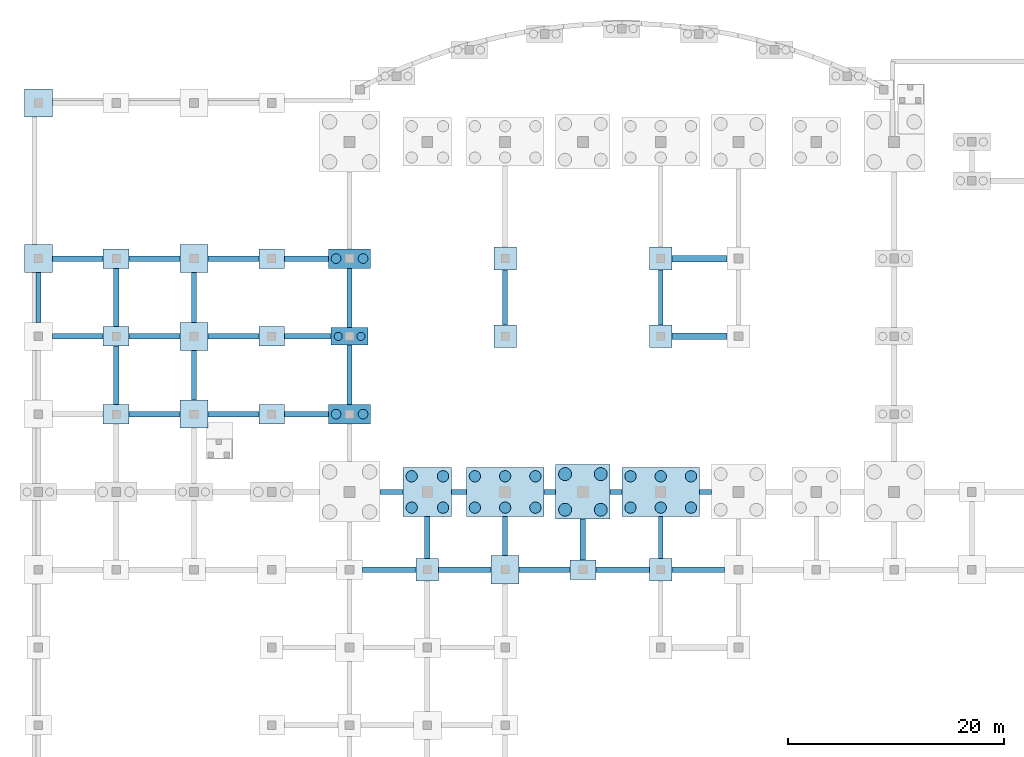
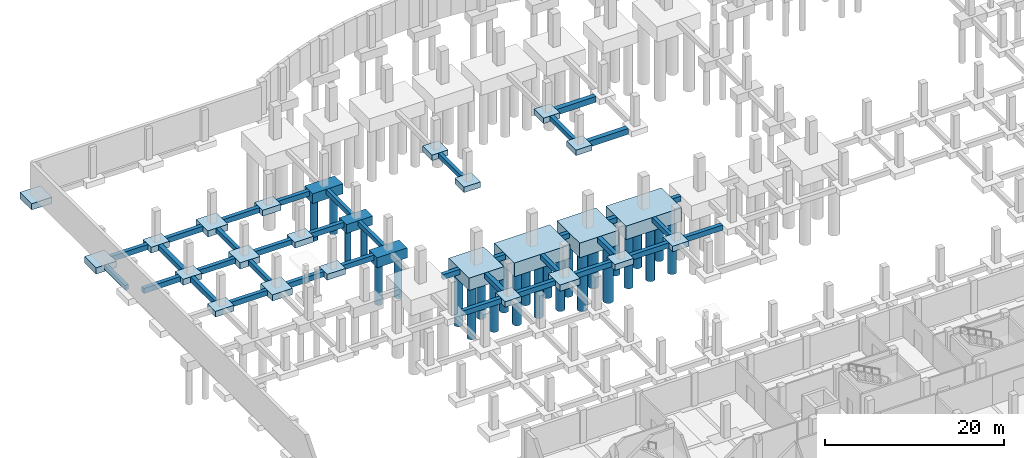
# One storey, part 8 of 22: 62 footings, 26 piles.
"""IFC4 building model written with IfcOpenShell, lengths in metres."""

from ifc_helpers import new_model, si_unit, direction, frame, origin, origin_2d, place, context, subcontext, project, spatial, polyline, rectangle, circle, outline, extrude, material, material_profile, profile_set, type_object, element, save


model = new_model("IFC4")

# Units and contexts
model_context = context("Model", 3, precision=1e-05, world=origin(), true_north=direction((0.0, 1.0)))
body_context = subcontext(model_context, "Body", "Model", "MODEL_VIEW")
ifc_project = project(units=[si_unit("LENGTHUNIT", "METRE"), si_unit("AREAUNIT", "SQUARE_METRE"), si_unit("VOLUMEUNIT", "CUBIC_METRE"), si_unit("PLANEANGLEUNIT", "RADIAN"), si_unit("MASSUNIT", "GRAM", prefix="KILO")], contexts=[model_context])

# Site, building, storey
site_placement = place(None, origin())
site = spatial("IfcSite", under=ifc_project, at=site_placement, CompositionType="ELEMENT")
building_placement = place(site_placement, origin())
building = spatial("IfcBuilding", under=site, at=building_placement, Name="Sardonyx Promenade Sports Hall", CompositionType="ELEMENT")
storey_placement = place(building_placement, frame((0.0, 0.0, -4.5)))
storey = spatial("IfcBuildingStorey", under=building, at=storey_placement, Name="B1", CompositionType="ELEMENT", Elevation=-4.5)

# Footings
ifc_material_1 = material(Name="Concrete C40/50", Category="concrete")
footing_type_1 = type_object("IfcFootingType", Name="Cap_2P_750", PredefinedType="PILE_CAP", material=ifc_material_1)
footing_1_placement = place(storey_placement, frame((28.800048828125, 86.39990234375, -1.2001953125), z_axis=(0.0, 0.0, 1.0), x_axis=(1.0, 0.0, 0.0)))
element("IfcFooting", 1, at=footing_1_placement, inside=storey, type_object=footing_type_1, Name="Pile cap PC02 at (28.80, 86.40)", PredefinedType="PILE_CAP", context=body_context, shape_type="SweptSolid", body=[
    extrude(rectangle(XDim=3.39990234375, YDim=1.60009765625, at=origin_2d()), origin(), (0.0, 0.0, 1.0), 1.199951171875),
])
ifc_material_2 = material(Name="Concrete C40/50", Category="concrete")
footing_type_2 = type_object("IfcFootingType", Name="Cap_2P_900", PredefinedType="PILE_CAP", material=ifc_material_2)
for number, where, z_axis, x_axis, name in (
    (2, (28.800048828125, 79.199951171875, -1.35009765625), (0.0, 0.0, 1.0), (1.0, 0.0, 0.0), "Pile cap PC09 at (28.80, 79.20)"),
    (3, (28.800048828125, 93.60009765625, -1.35009765625), (0.0, 0.0, 1.0), (1.0, 0.0, 0.0), "Pile cap PC09 at (28.80, 93.60)"),
):
    element("IfcFooting", number, at=place(storey_placement, frame(where, z_axis=z_axis, x_axis=x_axis)), inside=storey, type_object=footing_type_2, Name=name, PredefinedType="PILE_CAP", context=body_context, shape_type="SweptSolid", body=[
        extrude(rectangle(XDim=3.89990234375, YDim=1.800048828125, at=origin_2d()), origin(), (0.0, 0.0, 1.0), 1.35009765625),
    ])
ifc_material_3 = material(Name="Concrete C40/50", Category="concrete")
footing_type_3 = type_object("IfcFootingType", Name="Cap_4P_1050", PredefinedType="PILE_CAP", material=ifc_material_3)
footing_2_placement = place(storey_placement, frame((36.0, 72.0, -1.7001953125), z_axis=(0.0, 0.0, 1.0), x_axis=(1.0, 0.0, 0.0)))
element("IfcFooting", 4, at=footing_2_placement, inside=storey, type_object=footing_type_3, Name="Pile cap PC06 at (36.00, 72.00)", PredefinedType="PILE_CAP", context=body_context, shape_type="SweptSolid", body=[
    extrude(rectangle(XDim=4.5, YDim=4.5, at=origin_2d()), origin(), (0.0, 0.0, 1.0), 1.699951171875),
])
ifc_material_4 = material(Name="Concrete C40/50", Category="concrete")
footing_type_4 = type_object("IfcFootingType", Name="Cap_4P_1200", PredefinedType="PILE_CAP", material=ifc_material_4)
footing_3_placement = place(storey_placement, frame((50.39990234375, 72.0, -2.0), z_axis=(0.0, 0.0, 1.0), x_axis=(1.0, 0.0, 0.0)))
element("IfcFooting", 5, at=footing_3_placement, inside=storey, type_object=footing_type_4, Name="Pile cap PC05 at (50.40, 72.00)", PredefinedType="PILE_CAP", context=body_context, shape_type="SweptSolid", body=[
    extrude(rectangle(XDim=5.0400390625, YDim=5.0400390625, at=origin_2d()), origin(), (0.0, 0.0, 1.0), 2.0),
])
ifc_material_5 = material(Name="Concrete C40/50", Category="concrete")
footing_type_5 = type_object("IfcFootingType", Name="Cap_6P_1050", PredefinedType="PILE_CAP", material=ifc_material_5)
for number, where, z_axis, x_axis, name in (
    (6, (43.199951171875, 72.0, -1.85009765625), (0.0, 0.0, 1.0), (1.0, 0.0, 0.0), "Pile cap PC07 at (43.20, 72.00)"),
    (7, (57.60009765625, 72.0, -1.85009765625), (0.0, 0.0, 1.0), (1.0, 0.0, 0.0), "Pile cap PC07 at (57.60, 72.00)"),
):
    element("IfcFooting", number, at=place(storey_placement, frame(where, z_axis=z_axis, x_axis=x_axis)), inside=storey, type_object=footing_type_5, Name=name, PredefinedType="PILE_CAP", context=body_context, shape_type="SweptSolid", body=[
        extrude(rectangle(XDim=7.159912109375, YDim=4.5, at=origin_2d()), origin(), (0.0, 0.0, 1.0), 1.85009765625),
    ])
ifc_material_6 = material(Name="Concrete C40/50", Category="concrete")
footing_type_6 = type_object("IfcFootingType", Name="Ftg_Beam_450x650", PredefinedType="FOOTING_BEAM", material=ifc_material_6)
footing_4_placement = place(storey_placement, frame((0.0, 0.0, -0.64990234375)))
element("IfcFooting", 8, at=footing_4_placement, inside=storey, type_object=footing_type_6, Name="Ground tie beam GB03 #232", PredefinedType="FOOTING_BEAM", context=body_context, shape_type="SweptSolid", body=[
    extrude(outline(polyline([(-0.22509765625, 87.699951171875), (0.22509765625, 87.699951171875), (0.22509765625, 92.300048828125), (-0.22509765625, 92.300048828125), (-0.22509765625, 87.699951171875)])), origin(), (0.0, 0.0, 1.0), 0.64990234375),
])
footing_5_placement = place(storey_placement, frame((0.0, 0.0, -0.64990234375)))
element("IfcFooting", 9, at=footing_5_placement, inside=storey, type_object=footing_type_6, Name="Ground tie beam GB03 #249", PredefinedType="FOOTING_BEAM", context=body_context, shape_type="SweptSolid", body=[
    extrude(outline(polyline([(14.175048828125, 80.5), (14.625, 80.5), (14.625, 85.10009765625), (14.175048828125, 85.10009765625), (14.175048828125, 80.5)])), origin(), (0.0, 0.0, 1.0), 0.64990234375),
])
footing_6_placement = place(storey_placement, frame((0.0, 0.0, -0.64990234375)))
element("IfcFooting", 10, at=footing_6_placement, inside=storey, type_object=footing_type_6, Name="Ground tie beam GB03 #250", PredefinedType="FOOTING_BEAM", context=body_context, shape_type="SweptSolid", body=[
    extrude(outline(polyline([(14.175048828125, 87.699951171875), (14.625, 87.699951171875), (14.625, 92.300048828125), (14.175048828125, 92.300048828125), (14.175048828125, 87.699951171875)])), origin(), (0.0, 0.0, 1.0), 0.64990234375),
])
footing_7_placement = place(storey_placement, frame((0.0, 0.0, -0.64990234375)))
element("IfcFooting", 11, at=footing_7_placement, inside=storey, type_object=footing_type_6, Name="Ground tie beam GB03 #262", PredefinedType="FOOTING_BEAM", context=body_context, shape_type="SweptSolid", body=[
    extrude(outline(polyline([(28.574951171875, 80.10009765625), (29.02490234375, 80.10009765625), (29.02490234375, 85.60009765625), (28.574951171875, 85.60009765625), (28.574951171875, 80.10009765625)])), origin(), (0.0, 0.0, 1.0), 0.64990234375),
])
footing_8_placement = place(storey_placement, frame((0.0, 0.0, -0.64990234375)))
element("IfcFooting", 12, at=footing_8_placement, inside=storey, type_object=footing_type_6, Name="Ground tie beam GB03 #263", PredefinedType="FOOTING_BEAM", context=body_context, shape_type="SweptSolid", body=[
    extrude(outline(polyline([(28.574951171875, 87.199951171875), (29.02490234375, 87.199951171875), (29.02490234375, 92.699951171875), (28.574951171875, 92.699951171875), (28.574951171875, 87.199951171875)])), origin(), (0.0, 0.0, 1.0), 0.64990234375),
])
footing_9_placement = place(storey_placement, frame((0.0, 0.0, -0.64990234375)))
element("IfcFooting", 13, at=footing_9_placement, inside=storey, type_object=footing_type_6, Name="Ground tie beam GB03 #284", PredefinedType="FOOTING_BEAM", context=body_context, shape_type="SweptSolid", body=[
    extrude(outline(polyline([(42.97509765625, 66.10009765625), (43.425048828125, 66.10009765625), (43.425048828125, 69.75), (42.97509765625, 69.75), (42.97509765625, 66.10009765625)])), origin(), (0.0, 0.0, 1.0), 0.64990234375),
])
footing_10_placement = place(storey_placement, frame((0.0, 0.0, -0.64990234375)))
element("IfcFooting", 14, at=footing_10_placement, inside=storey, type_object=footing_type_6, Name="Ground tie beam GB03 #285", PredefinedType="FOOTING_BEAM", context=body_context, shape_type="SweptSolid", body=[
    extrude(outline(polyline([(42.97509765625, 87.449951171875), (43.425048828125, 87.449951171875), (43.425048828125, 92.550048828125), (42.97509765625, 92.550048828125), (42.97509765625, 87.449951171875)])), origin(), (0.0, 0.0, 1.0), 0.64990234375),
])
footing_11_placement = place(storey_placement, frame((0.0, 0.0, -0.64990234375)))
element("IfcFooting", 15, at=footing_11_placement, inside=storey, type_object=footing_type_6, Name="Ground tie beam GB03 #301", PredefinedType="FOOTING_BEAM", context=body_context, shape_type="SweptSolid", body=[
    extrude(outline(polyline([(57.375, 65.85009765625), (57.824951171875, 65.85009765625), (57.824951171875, 69.75), (57.375, 69.75), (57.375, 65.85009765625)])), origin(), (0.0, 0.0, 1.0), 0.64990234375),
])
footing_12_placement = place(storey_placement, frame((0.0, 0.0, -0.64990234375)))
element("IfcFooting", 16, at=footing_12_placement, inside=storey, type_object=footing_type_6, Name="Ground tie beam GB03 #302", PredefinedType="FOOTING_BEAM", context=body_context, shape_type="SweptSolid", body=[
    extrude(outline(polyline([(57.375, 87.449951171875), (57.824951171875, 87.449951171875), (57.824951171875, 92.550048828125), (57.375, 92.550048828125), (57.375, 87.449951171875)])), origin(), (0.0, 0.0, 1.0), 0.64990234375),
])
ifc_material_7 = material(Name="Concrete C40/50", Category="concrete")
footing_type_7 = type_object("IfcFootingType", Name="Ftg_Beam_500x700", PredefinedType="FOOTING_BEAM", material=ifc_material_7)
footing_13_placement = place(storey_placement, frame((0.0, 0.0, -0.699951171875)))
element("IfcFooting", 17, at=footing_13_placement, inside=storey, type_object=footing_type_7, Name="Ground tie beam GB01 #138", PredefinedType="FOOTING_BEAM", context=body_context, shape_type="SweptSolid", body=[
    extrude(outline(polyline([(30.0, 64.550048828125), (34.949951171875, 64.550048828125), (34.949951171875, 65.050048828125), (30.0, 65.050048828125), (30.0, 64.550048828125)])), origin(), (0.0, 0.0, 1.0), 0.699951171875),
])
footing_14_placement = place(storey_placement, frame((0.0, 0.0, -0.699951171875)))
element("IfcFooting", 18, at=footing_14_placement, inside=storey, type_object=footing_type_7, Name="Ground tie beam GB01 #139", PredefinedType="FOOTING_BEAM", context=body_context, shape_type="SweptSolid", body=[
    extrude(outline(polyline([(37.050048828125, 64.550048828125), (41.89990234375, 64.550048828125), (41.89990234375, 65.050048828125), (37.050048828125, 65.050048828125), (37.050048828125, 64.550048828125)])), origin(), (0.0, 0.0, 1.0), 0.699951171875),
])
footing_15_placement = place(storey_placement, frame((0.0, 0.0, -0.699951171875)))
element("IfcFooting", 19, at=footing_15_placement, inside=storey, type_object=footing_type_7, Name="Ground tie beam GB01 #140", PredefinedType="FOOTING_BEAM", context=body_context, shape_type="SweptSolid", body=[
    extrude(outline(polyline([(44.5, 64.550048828125), (49.199951171875, 64.550048828125), (49.199951171875, 65.050048828125), (44.5, 65.050048828125), (44.5, 64.550048828125)])), origin(), (0.0, 0.0, 1.0), 0.699951171875),
])
footing_16_placement = place(storey_placement, frame((0.0, 0.0, -0.699951171875)))
element("IfcFooting", 20, at=footing_16_placement, inside=storey, type_object=footing_type_7, Name="Ground tie beam GB01 #141", PredefinedType="FOOTING_BEAM", context=body_context, shape_type="SweptSolid", body=[
    extrude(outline(polyline([(51.60009765625, 64.550048828125), (56.550048828125, 64.550048828125), (56.550048828125, 65.050048828125), (51.60009765625, 65.050048828125), (51.60009765625, 64.550048828125)])), origin(), (0.0, 0.0, 1.0), 0.699951171875),
])
footing_17_placement = place(storey_placement, frame((0.0, 0.0, -0.699951171875)))
element("IfcFooting", 21, at=footing_17_placement, inside=storey, type_object=footing_type_7, Name="Ground tie beam GB01 #142", PredefinedType="FOOTING_BEAM", context=body_context, shape_type="SweptSolid", body=[
    extrude(outline(polyline([(58.64990234375, 64.550048828125), (63.5, 64.550048828125), (63.5, 65.050048828125), (58.64990234375, 65.050048828125), (58.64990234375, 64.550048828125)])), origin(), (0.0, 0.0, 1.0), 0.699951171875),
])
footing_18_placement = place(storey_placement, frame((0.0, 0.0, -0.699951171875)))
element("IfcFooting", 22, at=footing_18_placement, inside=storey, type_object=footing_type_7, Name="Ground tie beam GB01 #155", PredefinedType="FOOTING_BEAM", context=body_context, shape_type="SweptSolid", body=[
    extrude(outline(polyline([(31.60009765625, 71.75), (33.75, 71.75), (33.75, 72.25), (31.60009765625, 72.25), (31.60009765625, 71.75)])), origin(), (0.0, 0.0, 1.0), 0.699951171875),
])
footing_19_placement = place(storey_placement, frame((0.0, 0.0, -0.699951171875)))
element("IfcFooting", 23, at=footing_19_placement, inside=storey, type_object=footing_type_7, Name="Ground tie beam GB01 #156", PredefinedType="FOOTING_BEAM", context=body_context, shape_type="SweptSolid", body=[
    extrude(outline(polyline([(38.25, 71.75), (39.6201171875, 71.75), (39.6201171875, 72.25), (38.25, 72.25), (38.25, 71.75)])), origin(), (0.0, 0.0, 1.0), 0.699951171875),
])
footing_20_placement = place(storey_placement, frame((0.0, 0.0, -0.699951171875)))
element("IfcFooting", 24, at=footing_20_placement, inside=storey, type_object=footing_type_7, Name="Ground tie beam GB01 #157", PredefinedType="FOOTING_BEAM", context=body_context, shape_type="SweptSolid", body=[
    extrude(outline(polyline([(46.780029296875, 71.75), (47.8798828125, 71.75), (47.8798828125, 72.25), (46.780029296875, 72.25), (46.780029296875, 71.75)])), origin(), (0.0, 0.0, 1.0), 0.699951171875),
])
footing_21_placement = place(storey_placement, frame((0.0, 0.0, -0.699951171875)))
element("IfcFooting", 25, at=footing_21_placement, inside=storey, type_object=footing_type_7, Name="Ground tie beam GB01 #158", PredefinedType="FOOTING_BEAM", context=body_context, shape_type="SweptSolid", body=[
    extrude(outline(polyline([(52.919921875, 71.75), (54.02001953125, 71.75), (54.02001953125, 72.25), (52.919921875, 72.25), (52.919921875, 71.75)])), origin(), (0.0, 0.0, 1.0), 0.699951171875),
])
footing_22_placement = place(storey_placement, frame((0.0, 0.0, -0.699951171875)))
element("IfcFooting", 26, at=footing_22_placement, inside=storey, type_object=footing_type_7, Name="Ground tie beam GB01 #159", PredefinedType="FOOTING_BEAM", context=body_context, shape_type="SweptSolid", body=[
    extrude(outline(polyline([(61.179931640625, 71.75), (62.280029296875, 71.75), (62.280029296875, 72.25), (61.179931640625, 72.25), (61.179931640625, 71.75)])), origin(), (0.0, 0.0, 1.0), 0.699951171875),
])
footing_23_placement = place(storey_placement, frame((0.0, 0.0, -0.699951171875)))
element("IfcFooting", 27, at=footing_23_placement, inside=storey, type_object=footing_type_7, Name="Ground tie beam GB01 #169", PredefinedType="FOOTING_BEAM", context=body_context, shape_type="SweptSolid", body=[
    extrude(outline(polyline([(8.39990234375, 78.949951171875), (13.10009765625, 78.949951171875), (13.10009765625, 79.449951171875), (8.39990234375, 79.449951171875), (8.39990234375, 78.949951171875)])), origin(), (0.0, 0.0, 1.0), 0.699951171875),
])
footing_24_placement = place(storey_placement, frame((0.0, 0.0, -0.699951171875)))
element("IfcFooting", 28, at=footing_24_placement, inside=storey, type_object=footing_type_7, Name="Ground tie beam GB01 #170", PredefinedType="FOOTING_BEAM", context=body_context, shape_type="SweptSolid", body=[
    extrude(outline(polyline([(15.699951171875, 78.949951171875), (20.39990234375, 78.949951171875), (20.39990234375, 79.449951171875), (15.699951171875, 79.449951171875), (15.699951171875, 78.949951171875)])), origin(), (0.0, 0.0, 1.0), 0.699951171875),
])
footing_25_placement = place(storey_placement, frame((0.0, 0.0, -0.699951171875)))
element("IfcFooting", 29, at=footing_25_placement, inside=storey, type_object=footing_type_7, Name="Ground tie beam GB01 #171", PredefinedType="FOOTING_BEAM", context=body_context, shape_type="SweptSolid", body=[
    extrude(outline(polyline([(22.800048828125, 78.949951171875), (26.85009765625, 78.949951171875), (26.85009765625, 79.449951171875), (22.800048828125, 79.449951171875), (22.800048828125, 78.949951171875)])), origin(), (0.0, 0.0, 1.0), 0.699951171875),
])
footing_26_placement = place(storey_placement, frame((0.0, 0.0, -0.699951171875)))
element("IfcFooting", 30, at=footing_26_placement, inside=storey, type_object=footing_type_7, Name="Ground tie beam GB01 #180", PredefinedType="FOOTING_BEAM", context=body_context, shape_type="SweptSolid", body=[
    extrude(outline(polyline([(1.300048828125, 86.14990234375), (6.0, 86.14990234375), (6.0, 86.64990234375), (1.300048828125, 86.64990234375), (1.300048828125, 86.14990234375)])), origin(), (0.0, 0.0, 1.0), 0.699951171875),
])
footing_27_placement = place(storey_placement, frame((0.0, 0.0, -0.699951171875)))
element("IfcFooting", 31, at=footing_27_placement, inside=storey, type_object=footing_type_7, Name="Ground tie beam GB01 #181", PredefinedType="FOOTING_BEAM", context=body_context, shape_type="SweptSolid", body=[
    extrude(outline(polyline([(8.39990234375, 86.14990234375), (13.10009765625, 86.14990234375), (13.10009765625, 86.64990234375), (8.39990234375, 86.64990234375), (8.39990234375, 86.14990234375)])), origin(), (0.0, 0.0, 1.0), 0.699951171875),
])
footing_28_placement = place(storey_placement, frame((0.0, 0.0, -0.699951171875)))
element("IfcFooting", 32, at=footing_28_placement, inside=storey, type_object=footing_type_7, Name="Ground tie beam GB01 #182", PredefinedType="FOOTING_BEAM", context=body_context, shape_type="SweptSolid", body=[
    extrude(outline(polyline([(15.699951171875, 86.14990234375), (20.39990234375, 86.14990234375), (20.39990234375, 86.64990234375), (15.699951171875, 86.64990234375), (15.699951171875, 86.14990234375)])), origin(), (0.0, 0.0, 1.0), 0.699951171875),
])
footing_29_placement = place(storey_placement, frame((0.0, 0.0, -0.699951171875)))
element("IfcFooting", 33, at=footing_29_placement, inside=storey, type_object=footing_type_7, Name="Ground tie beam GB01 #183", PredefinedType="FOOTING_BEAM", context=body_context, shape_type="SweptSolid", body=[
    extrude(outline(polyline([(22.800048828125, 86.14990234375), (27.10009765625, 86.14990234375), (27.10009765625, 86.64990234375), (22.800048828125, 86.64990234375), (22.800048828125, 86.14990234375)])), origin(), (0.0, 0.0, 1.0), 0.699951171875),
])
footing_30_placement = place(storey_placement, frame((0.0, 0.0, -0.699951171875)))
element("IfcFooting", 34, at=footing_30_placement, inside=storey, type_object=footing_type_7, Name="Ground tie beam GB01 #193", PredefinedType="FOOTING_BEAM", context=body_context, shape_type="SweptSolid", body=[
    extrude(outline(polyline([(1.300048828125, 93.35009765625), (6.0, 93.35009765625), (6.0, 93.85009765625), (1.300048828125, 93.85009765625), (1.300048828125, 93.35009765625)])), origin(), (0.0, 0.0, 1.0), 0.699951171875),
])
footing_31_placement = place(storey_placement, frame((0.0, 0.0, -0.699951171875)))
element("IfcFooting", 35, at=footing_31_placement, inside=storey, type_object=footing_type_7, Name="Ground tie beam GB01 #194", PredefinedType="FOOTING_BEAM", context=body_context, shape_type="SweptSolid", body=[
    extrude(outline(polyline([(8.39990234375, 93.35009765625), (13.10009765625, 93.35009765625), (13.10009765625, 93.85009765625), (8.39990234375, 93.85009765625), (8.39990234375, 93.35009765625)])), origin(), (0.0, 0.0, 1.0), 0.699951171875),
])
footing_32_placement = place(storey_placement, frame((0.0, 0.0, -0.699951171875)))
element("IfcFooting", 36, at=footing_32_placement, inside=storey, type_object=footing_type_7, Name="Ground tie beam GB01 #195", PredefinedType="FOOTING_BEAM", context=body_context, shape_type="SweptSolid", body=[
    extrude(outline(polyline([(15.699951171875, 93.35009765625), (20.39990234375, 93.35009765625), (20.39990234375, 93.85009765625), (15.699951171875, 93.85009765625), (15.699951171875, 93.35009765625)])), origin(), (0.0, 0.0, 1.0), 0.699951171875),
])
footing_33_placement = place(storey_placement, frame((0.0, 0.0, -0.699951171875)))
element("IfcFooting", 37, at=footing_33_placement, inside=storey, type_object=footing_type_7, Name="Ground tie beam GB01 #196", PredefinedType="FOOTING_BEAM", context=body_context, shape_type="SweptSolid", body=[
    extrude(outline(polyline([(22.800048828125, 93.35009765625), (26.85009765625, 93.35009765625), (26.85009765625, 93.85009765625), (22.800048828125, 93.85009765625), (22.800048828125, 93.35009765625)])), origin(), (0.0, 0.0, 1.0), 0.699951171875),
])
footing_34_placement = place(storey_placement, frame((0.0, 0.0, -0.699951171875)))
element("IfcFooting", 38, at=footing_34_placement, inside=storey, type_object=footing_type_7, Name="Ground tie beam GB01 #240", PredefinedType="FOOTING_BEAM", context=body_context, shape_type="SweptSolid", body=[
    extrude(outline(polyline([(6.949951171875, 80.10009765625), (7.449951171875, 80.10009765625), (7.449951171875, 85.5), (6.949951171875, 85.5), (6.949951171875, 80.10009765625)])), origin(), (0.0, 0.0, 1.0), 0.699951171875),
])
footing_35_placement = place(storey_placement, frame((0.0, 0.0, -0.699951171875)))
element("IfcFooting", 39, at=footing_35_placement, inside=storey, type_object=footing_type_7, Name="Ground tie beam GB01 #241", PredefinedType="FOOTING_BEAM", context=body_context, shape_type="SweptSolid", body=[
    extrude(outline(polyline([(6.949951171875, 87.300048828125), (7.449951171875, 87.300048828125), (7.449951171875, 92.699951171875), (6.949951171875, 92.699951171875), (6.949951171875, 87.300048828125)])), origin(), (0.0, 0.0, 1.0), 0.699951171875),
])
footing_36_placement = place(storey_placement, frame((0.0, 0.0, -0.699951171875)))
element("IfcFooting", 40, at=footing_36_placement, inside=storey, type_object=footing_type_7, Name="Ground tie beam GB01 #274", PredefinedType="FOOTING_BEAM", context=body_context, shape_type="SweptSolid", body=[
    extrude(outline(polyline([(35.75, 65.85009765625), (36.25, 65.85009765625), (36.25, 69.75), (35.75, 69.75), (35.75, 65.85009765625)])), origin(), (0.0, 0.0, 1.0), 0.699951171875),
])
footing_37_placement = place(storey_placement, frame((0.0, 0.0, -0.699951171875)))
element("IfcFooting", 41, at=footing_37_placement, inside=storey, type_object=footing_type_7, Name="Ground tie beam GB01 #293", PredefinedType="FOOTING_BEAM", context=body_context, shape_type="SweptSolid", body=[
    extrude(outline(polyline([(50.14990234375, 65.699951171875), (50.64990234375, 65.699951171875), (50.64990234375, 69.47998046875), (50.14990234375, 69.47998046875), (50.14990234375, 65.699951171875)])), origin(), (0.0, 0.0, 1.0), 0.699951171875),
])
ifc_material_8 = material(Name="Concrete C40/50", Category="concrete")
footing_type_8 = type_object("IfcFootingType", Name="Ftg_Beam_600x800", PredefinedType="FOOTING_BEAM", material=ifc_material_8)
footing_38_placement = place(storey_placement, frame((0.0, 0.0, -0.800048828125)))
element("IfcFooting", 42, at=footing_38_placement, inside=storey, type_object=footing_type_8, Name="Ground tie beam GB02 #184", PredefinedType="FOOTING_BEAM", context=body_context, shape_type="SweptSolid", body=[
    extrude(outline(polyline([(58.64990234375, 86.10009765625), (63.75, 86.10009765625), (63.75, 86.699951171875), (58.64990234375, 86.699951171875), (58.64990234375, 86.10009765625)])), origin(), (0.0, 0.0, 1.0), 0.800048828125),
])
footing_39_placement = place(storey_placement, frame((0.0, 0.0, -0.800048828125)))
element("IfcFooting", 43, at=footing_39_placement, inside=storey, type_object=footing_type_8, Name="Ground tie beam GB02 #197", PredefinedType="FOOTING_BEAM", context=body_context, shape_type="SweptSolid", body=[
    extrude(outline(polyline([(58.64990234375, 93.300048828125), (63.75, 93.300048828125), (63.75, 93.89990234375), (58.64990234375, 93.89990234375), (58.64990234375, 93.300048828125)])), origin(), (0.0, 0.0, 1.0), 0.800048828125),
])
ifc_material_9 = material(Name="Concrete C40/50", Category="concrete")
footing_type_9 = type_object("IfcFootingType", Name="Ftg_Pad_2100", PredefinedType="PAD_FOOTING", material=ifc_material_9)
for number, where, z_axis, x_axis, name in (
    (44, (36.0, 64.800048828125, -0.75), (0.0, 0.0, 1.0), (1.0, 0.0, 0.0), "Rock-bearing pad footing PF02 at (36.00, 64.80)"),
    (45, (57.60009765625, 64.800048828125, -0.75), (0.0, 0.0, 1.0), (1.0, 0.0, 0.0), "Rock-bearing pad footing PF02 at (57.60, 64.80)"),
    (46, (43.199951171875, 86.39990234375, -0.75), (0.0, 0.0, 1.0), (1.0, 0.0, 0.0), "Substructure court slab pad footing PF02 #34"),
    (47, (43.199951171875, 93.60009765625, -0.75), (0.0, 0.0, 1.0), (1.0, 0.0, 0.0), "Substructure court slab pad footing PF02 #35"),
    (48, (57.60009765625, 86.39990234375, -0.75), (0.0, 0.0, 1.0), (1.0, 0.0, 0.0), "Substructure court slab pad footing PF02 #36"),
    (49, (57.60009765625, 93.60009765625, -0.75), (0.0, 0.0, 1.0), (1.0, 0.0, 0.0), "Substructure court slab pad footing PF02 #37"),
):
    element("IfcFooting", number, at=place(storey_placement, frame(where, z_axis=z_axis, x_axis=x_axis)), inside=storey, type_object=footing_type_9, Name=name, PredefinedType="PAD_FOOTING", context=body_context, shape_type="SweptSolid", body=[
        extrude(rectangle(XDim=2.10009765625, YDim=2.10009765625, at=origin_2d()), origin(), (0.0, 0.0, 1.0), 0.75),
    ])
ifc_material_10 = material(Name="Concrete C40/50", Category="concrete")
footing_type_10 = type_object("IfcFootingType", Name="Ftg_Pad_2400x1800", PredefinedType="PAD_FOOTING", material=ifc_material_10)
for number, where, z_axis, x_axis, name in (
    (50, (50.39990234375, 64.800048828125, -0.7998046875), (0.0, 0.0, 1.0), (1.0, 0.0, 0.0), "Rock-bearing pad footing PF03 at (50.40, 64.80)"),
    (51, (7.199951171875, 79.199951171875, -0.7998046875), (0.0, 0.0, 1.0), (1.0, 0.0, 0.0), "Pad footing PF03 #22"),
    (52, (7.199951171875, 86.39990234375, -0.7998046875), (0.0, 0.0, 1.0), (1.0, 0.0, 0.0), "Pad footing PF03 #23"),
    (53, (7.199951171875, 93.60009765625, -0.7998046875), (0.0, 0.0, 1.0), (1.0, 0.0, 0.0), "Pad footing PF03 #24"),
    (54, (21.60009765625, 79.199951171875, -0.7998046875), (0.0, 0.0, 1.0), (1.0, 0.0, 0.0), "Pad footing PF03 #30"),
    (55, (21.60009765625, 86.39990234375, -0.7998046875), (0.0, 0.0, 1.0), (1.0, 0.0, 0.0), "Pad footing PF03 #31"),
    (56, (21.60009765625, 93.60009765625, -0.7998046875), (0.0, 0.0, 1.0), (1.0, 0.0, 0.0), "Pad footing PF03 #32"),
):
    element("IfcFooting", number, at=place(storey_placement, frame(where, z_axis=z_axis, x_axis=x_axis)), inside=storey, type_object=footing_type_10, Name=name, PredefinedType="PAD_FOOTING", context=body_context, shape_type="SweptSolid", body=[
        extrude(rectangle(XDim=2.39990234375, YDim=1.800048828125, at=origin_2d()), origin(), (0.0, 0.0, 1.0), 0.800048828125),
    ])
ifc_material_11 = material(Name="Concrete C40/50", Category="concrete")
footing_type_11 = type_object("IfcFootingType", Name="Ftg_Pad_2600", PredefinedType="PAD_FOOTING", material=ifc_material_11)
for number, where, z_axis, x_axis, name in (
    (57, (43.199951171875, 64.800048828125, -0.85009765625), (0.0, 0.0, 1.0), (1.0, 0.0, 0.0), "Rock-bearing pad footing PF04 at (43.20, 64.80)"),
    (58, (0.0, 93.60009765625, -0.85009765625), (0.0, 0.0, 1.0), (1.0, 0.0, 0.0), "Pad footing PF04 #20"),
    (59, (0.0, 108.0, -0.85009765625), (0.0, 0.0, 1.0), (1.0, 0.0, 0.0), "Pad footing PF04 #21"),
    (60, (14.39990234375, 79.199951171875, -0.85009765625), (0.0, 0.0, 1.0), (1.0, 0.0, 0.0), "Pad footing PF04 #26"),
    (61, (14.39990234375, 86.39990234375, -0.85009765625), (0.0, 0.0, 1.0), (1.0, 0.0, 0.0), "Pad footing PF04 #27"),
    (62, (14.39990234375, 93.60009765625, -0.85009765625), (0.0, 0.0, 1.0), (1.0, 0.0, 0.0), "Pad footing PF04 #28"),
):
    element("IfcFooting", number, at=place(storey_placement, frame(where, z_axis=z_axis, x_axis=x_axis)), inside=storey, type_object=footing_type_11, Name=name, PredefinedType="PAD_FOOTING", context=body_context, shape_type="SweptSolid", body=[
        extrude(rectangle(XDim=2.60009765625, YDim=2.60009765625, at=origin_2d()), origin(), (0.0, 0.0, 1.0), 0.85009765625),
    ])

# Piles
ifc_material_12 = material(Name="Concrete C40/50", Category="concrete")
ifc_material_profile_1 = material_profile(ifc_material_12, circle(Radius=0.52490234375, at=origin_2d()))
ifc_profile_set_1 = profile_set([ifc_material_profile_1], Name="Concrete C40/50")
pile_type_1 = type_object("IfcPileType", Name="Pile_BP1050", PredefinedType="BORED", material=ifc_profile_set_1)
for number, where, z_axis, x_axis, name in (
    (63, (34.550048828125, 70.550048828125, -1.60009765625), (0.0, 0.0, -1.0), (1.0, 0.0, 0.0), "Bored pile BP03 #1 under ftg:cap:36.000_72.000"),
    (64, (37.449951171875, 70.550048828125, -1.60009765625), (0.0, 0.0, -1.0), (1.0, 0.0, 0.0), "Bored pile BP03 #2 under ftg:cap:36.000_72.000"),
    (65, (34.550048828125, 73.449951171875, -1.60009765625), (0.0, 0.0, -1.0), (1.0, 0.0, 0.0), "Bored pile BP03 #3 under ftg:cap:36.000_72.000"),
    (66, (37.449951171875, 73.449951171875, -1.60009765625), (0.0, 0.0, -1.0), (1.0, 0.0, 0.0), "Bored pile BP03 #4 under ftg:cap:36.000_72.000"),
    (67, (40.39990234375, 70.550048828125, -1.75), (0.0, 0.0, -1.0), (1.0, 0.0, 0.0), "Bored pile BP03 #1 under ftg:cap:43.200_72.000"),
    (68, (43.199951171875, 70.550048828125, -1.75), (0.0, 0.0, -1.0), (1.0, 0.0, 0.0), "Bored pile BP03 #2 under ftg:cap:43.200_72.000"),
    (69, (46.0, 70.550048828125, -1.75), (0.0, 0.0, -1.0), (1.0, 0.0, 0.0), "Bored pile BP03 #3 under ftg:cap:43.200_72.000"),
    (70, (40.39990234375, 73.449951171875, -1.75), (0.0, 0.0, -1.0), (1.0, 0.0, 0.0), "Bored pile BP03 #4 under ftg:cap:43.200_72.000"),
    (71, (43.199951171875, 73.449951171875, -1.75), (0.0, 0.0, -1.0), (1.0, 0.0, 0.0), "Bored pile BP03 #5 under ftg:cap:43.200_72.000"),
    (72, (46.0, 73.449951171875, -1.75), (0.0, 0.0, -1.0), (1.0, 0.0, 0.0), "Bored pile BP03 #6 under ftg:cap:43.200_72.000"),
    (73, (54.800048828125, 70.550048828125, -1.75), (0.0, 0.0, -1.0), (1.0, 0.0, 0.0), "Bored pile BP03 #1 under ftg:cap:57.600_72.000"),
    (74, (57.60009765625, 70.550048828125, -1.75), (0.0, 0.0, -1.0), (1.0, 0.0, 0.0), "Bored pile BP03 #2 under ftg:cap:57.600_72.000"),
    (75, (60.39990234375, 70.550048828125, -1.75), (0.0, 0.0, -1.0), (1.0, 0.0, 0.0), "Bored pile BP03 #3 under ftg:cap:57.600_72.000"),
    (76, (54.800048828125, 73.449951171875, -1.75), (0.0, 0.0, -1.0), (1.0, 0.0, 0.0), "Bored pile BP03 #4 under ftg:cap:57.600_72.000"),
    (77, (57.60009765625, 73.449951171875, -1.75), (0.0, 0.0, -1.0), (1.0, 0.0, 0.0), "Bored pile BP03 #5 under ftg:cap:57.600_72.000"),
    (78, (60.39990234375, 73.449951171875, -1.75), (0.0, 0.0, -1.0), (1.0, 0.0, 0.0), "Bored pile BP03 #6 under ftg:cap:57.600_72.000"),
):
    element("IfcPile", number, at=place(storey_placement, frame(where, z_axis=z_axis, x_axis=x_axis)), inside=storey, type_object=pile_type_1, Name=name, PredefinedType="BORED", context=body_context, shape_type="SweptSolid", body=[
        extrude(circle(Radius=0.52490234375, at=origin_2d()), origin(), (0.0, 0.0, 1.0), 7.199951171875),
    ])
ifc_material_13 = material(Name="Concrete C40/50", Category="concrete")
ifc_material_profile_2 = material_profile(ifc_material_13, circle(Radius=0.60009765625, at=origin_2d()))
ifc_profile_set_2 = profile_set([ifc_material_profile_2], Name="Concrete C40/50")
pile_type_2 = type_object("IfcPileType", Name="Pile_BP1200", PredefinedType="BORED", material=ifc_profile_set_2)
for number, where, z_axis, x_axis, name in (
    (79, (48.75, 70.35009765625, -1.89990234375), (0.0, 0.0, -1.0), (1.0, 0.0, 0.0), "Bored pile BP06 #1 under ftg:cap:50.400_72.000"),
    (80, (52.050048828125, 70.35009765625, -1.89990234375), (0.0, 0.0, -1.0), (1.0, 0.0, 0.0), "Bored pile BP06 #2 under ftg:cap:50.400_72.000"),
    (81, (48.75, 73.64990234375, -1.89990234375), (0.0, 0.0, -1.0), (1.0, 0.0, 0.0), "Bored pile BP06 #3 under ftg:cap:50.400_72.000"),
    (82, (52.050048828125, 73.64990234375, -1.89990234375), (0.0, 0.0, -1.0), (1.0, 0.0, 0.0), "Bored pile BP06 #4 under ftg:cap:50.400_72.000"),
):
    element("IfcPile", number, at=place(storey_placement, frame(where, z_axis=z_axis, x_axis=x_axis)), inside=storey, type_object=pile_type_2, Name=name, PredefinedType="BORED", context=body_context, shape_type="SweptSolid", body=[
        extrude(circle(Radius=0.60009765625, at=origin_2d()), origin(), (0.0, 0.0, 1.0), 7.89990234375),
    ])
ifc_material_14 = material(Name="Concrete C40/50", Category="concrete")
ifc_material_profile_3 = material_profile(ifc_material_14, circle(Radius=0.375, at=origin_2d()))
ifc_profile_set_3 = profile_set([ifc_material_profile_3], Name="Concrete C40/50")
pile_type_3 = type_object("IfcPileType", Name="Pile_BP750", PredefinedType="BORED", material=ifc_profile_set_3)
for number, where, z_axis, x_axis, name in (
    (83, (27.75, 86.39990234375, -1.10009765625), (0.0, 0.0, -1.0), (1.0, 0.0, 0.0), "Bored pile BP02 #1 under ftg:cap:28.800_86.400"),
    (84, (29.85009765625, 86.39990234375, -1.10009765625), (0.0, 0.0, -1.0), (1.0, 0.0, 0.0), "Bored pile BP02 #2 under ftg:cap:28.800_86.400"),
):
    element("IfcPile", number, at=place(storey_placement, frame(where, z_axis=z_axis, x_axis=x_axis)), inside=storey, type_object=pile_type_3, Name=name, PredefinedType="BORED", context=body_context, shape_type="SweptSolid", body=[
        extrude(circle(Radius=0.375, at=origin_2d()), origin(), (0.0, 0.0, 1.0), 5.10009765625),
    ])
ifc_material_15 = material(Name="Concrete C40/50", Category="concrete")
ifc_material_profile_4 = material_profile(ifc_material_15, circle(Radius=0.449951171875, at=origin_2d()))
ifc_profile_set_4 = profile_set([ifc_material_profile_4], Name="Concrete C40/50")
pile_type_4 = type_object("IfcPileType", Name="Pile_BP900", PredefinedType="BORED", material=ifc_profile_set_4)
for number, where, z_axis, x_axis, name in (
    (85, (27.550048828125, 79.199951171875, -1.25), (0.0, 0.0, -1.0), (1.0, 0.0, 0.0), "Bored pile BP05 #1 under ftg:cap:28.800_79.200"),
    (86, (30.050048828125, 79.199951171875, -1.25), (0.0, 0.0, -1.0), (1.0, 0.0, 0.0), "Bored pile BP05 #2 under ftg:cap:28.800_79.200"),
    (87, (27.550048828125, 93.60009765625, -1.25), (0.0, 0.0, -1.0), (1.0, 0.0, 0.0), "Bored pile BP05 #1 under ftg:cap:28.800_93.600"),
    (88, (30.050048828125, 93.60009765625, -1.25), (0.0, 0.0, -1.0), (1.0, 0.0, 0.0), "Bored pile BP05 #2 under ftg:cap:28.800_93.600"),
):
    element("IfcPile", number, at=place(storey_placement, frame(where, z_axis=z_axis, x_axis=x_axis)), inside=storey, type_object=pile_type_4, Name=name, PredefinedType="BORED", context=body_context, shape_type="SweptSolid", body=[
        extrude(circle(Radius=0.449951171875, at=origin_2d()), origin(), (0.0, 0.0, 1.0), 5.699951171875),
    ])

save(model, "model.ifc")
